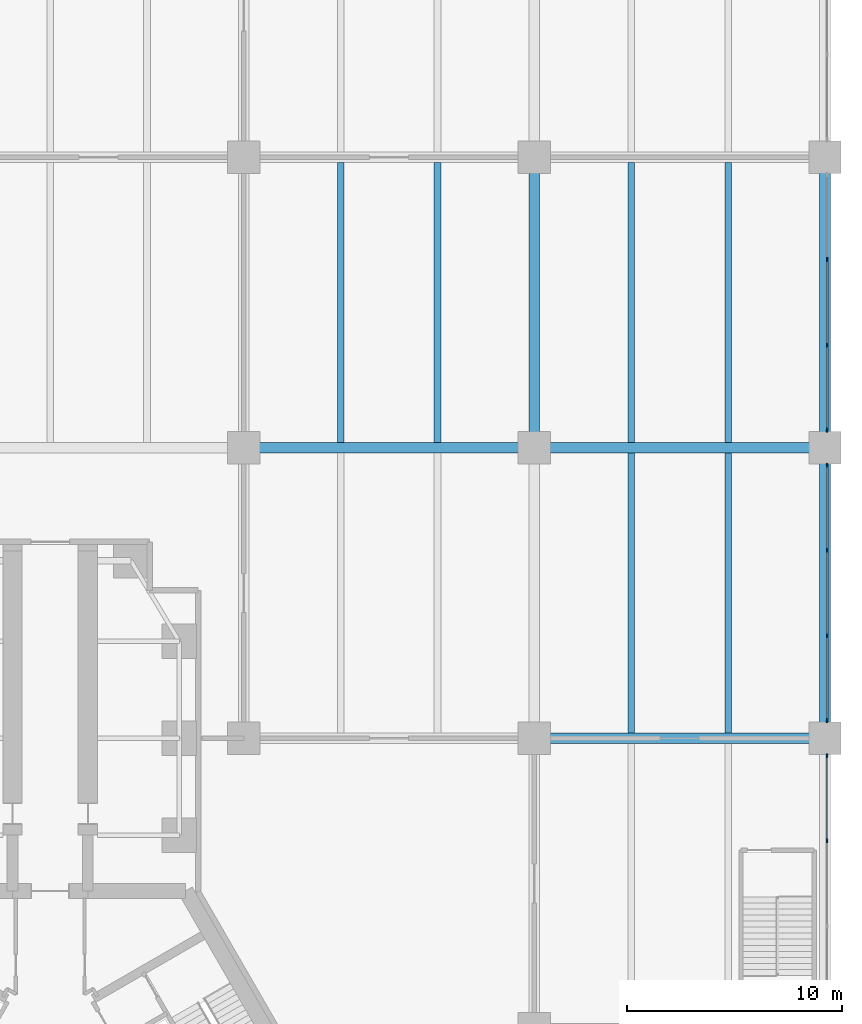
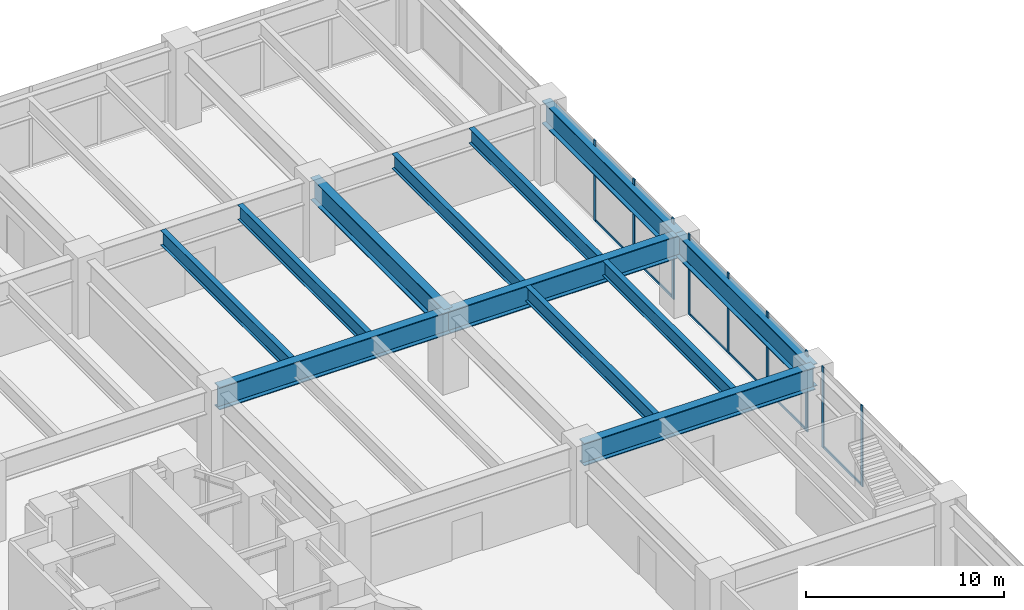
# One storey, part 12 of 31: 15 members, 12 beams, 3 elements without a shape of their own.
"""IFC4 building model written with IfcOpenShell, lengths in metres."""

from ifc_helpers import new_model, si_unit, direction, frame, origin, origin_2d, place, context, subcontext, project, spatial, rectangle, i_section, extrude, material, material_profile, profile_set, type_object, element, aggregate, save


model = new_model("IFC4")

# Units and contexts
model_context = context("Model", 3, precision=1e-05, world=origin(), true_north=direction((0.0, 1.0)))
body_context = subcontext(model_context, "Body", "Model", "MODEL_VIEW")
ifc_project = project(units=[si_unit("LENGTHUNIT", "METRE"), si_unit("AREAUNIT", "SQUARE_METRE"), si_unit("VOLUMEUNIT", "CUBIC_METRE"), si_unit("PLANEANGLEUNIT", "RADIAN"), si_unit("MASSUNIT", "GRAM", prefix="KILO")], contexts=[model_context])

# Site, building, storey
site_placement = place(None, origin())
site = spatial("IfcSite", under=ifc_project, at=site_placement, CompositionType="ELEMENT")
building_placement = place(site_placement, origin())
building = spatial("IfcBuilding", under=site, at=building_placement, Name="Upepo Twin Towers", CompositionType="ELEMENT")
storey_placement = place(building_placement, frame((0.0, 0.0, 15.5)))
storey = spatial("IfcBuildingStorey", under=building, at=storey_placement, Name="L03", CompositionType="ELEMENT", Elevation=15.5)

# Beams
ifc_material_1 = material(Name="Steel S355", Category="steel")
ifc_material_profile_1 = material_profile(ifc_material_1, i_section(OverallWidth=0.5, OverallDepth=1.39990234375, WebThickness=0.02490234375, FlangeThickness=0.050048828125, FilletRadius=0.008056640625, at=origin_2d()), Name="PG 1400x500x25x50")
ifc_profile_set_1 = profile_set([ifc_material_profile_1], Name="Steel S355")
beam_type_1 = type_object("IfcBeamType", Name="Beam PG 1400x500x25x50", PredefinedType="BEAM", material=ifc_profile_set_1)
for number, where, z_axis, x_axis, name in (
    (1, (81.0, 0.0, 3.949951171875), (1.0, 0.0, 0.0), (0.0, 1.0, 0.0), "Podium girder D/9-10"),
    (2, (67.5, 13.5, 3.949951171875), (1.0, 0.0, 0.0), (0.0, 1.0, 0.0), "Podium girder E/8-9"),
    (3, (81.0, 13.5, 3.949951171875), (1.0, 0.0, 0.0), (0.0, 1.0, 0.0), "Podium girder E/9-10"),
    (4, (81.0, 13.5, 3.949951171875), (0.0, 1.0, 0.0), (-1.0, 0.0, 0.0), "Podium girder 9/E-F"),
    (5, (94.5, 0.0, 3.949951171875), (0.0, 1.0, 0.0), (-1.0, 0.0, 0.0), "Podium girder 10/D-E"),
    (6, (94.5, 13.5, 3.949951171875), (0.0, 1.0, 0.0), (-1.0, 0.0, 0.0), "Podium girder 10/E-F"),
):
    element("IfcBeam", number, at=place(storey_placement, frame(where, z_axis=z_axis, x_axis=x_axis)), inside=storey, type_object=beam_type_1, Name=name, PredefinedType="BEAM", context=body_context, shape_type="SweptSolid", body=[
        extrude(i_section(OverallWidth=0.5, OverallDepth=1.39990234375, WebThickness=0.02490234375, FlangeThickness=0.050048828125, FilletRadius=0.008056640625, at=origin_2d()), origin(), (0.0, 0.0, 1.0), 13.5),
    ])

# Curtain wall, members
ifc_material_2 = material(Name="Aluminium and clear glass", Category="aluminium")
curtain_wall_type = type_object("IfcCurtainWallType", Name="Podium curtain wall PW1", PredefinedType="NOTDEFINED", material=ifc_material_2)
curtain_wall_1_placement = place(storey_placement, origin())
curtain_wall_1 = element("IfcCurtainWall", 7, at=curtain_wall_1_placement, inside=storey, type_object=curtain_wall_type, Name="Podium L03 curtain wall E3", PredefinedType="NOTDEFINED")
ifc_material_3 = material(Name="Aluminium mullion", Category="aluminium")
ifc_material_profile_2 = material_profile(ifc_material_3, rectangle(XDim=0.06494140625, YDim=0.199951171875, at=origin_2d()), Name="MULLION 65x200 PODIUM")
ifc_profile_set_2 = profile_set([ifc_material_profile_2], Name="Aluminium mullion")
member_type_1 = type_object("IfcMemberType", Name="Mullion 65x200 PW1", PredefinedType="MULLION", material=ifc_profile_set_2)
member_1_placement = place(storey_placement, frame((94.60009765625, -4.76171875, 0.0), z_axis=(0.0, 0.0, 1.0), x_axis=(-1.0, 0.0, 0.0)))
member_1 = element("IfcMember", 8, at=member_1_placement, type_object=member_type_1, Name="Podium L03 curtain wall E3 mullion 3", PredefinedType="MULLION", context=body_context, shape_type="SweptSolid", body=[
    extrude(rectangle(XDim=0.06494140625, YDim=0.199951171875, at=origin_2d()), origin(), (0.0, 0.0, 1.0), 5.0),
])
member_2_placement = place(storey_placement, frame((94.60009765625, -0.8173828125, 0.0), z_axis=(0.0, 0.0, 1.0), x_axis=(-1.0, 0.0, 0.0)))
member_2 = element("IfcMember", 9, at=member_2_placement, type_object=member_type_1, Name="Podium L03 curtain wall E3 mullion 4", PredefinedType="MULLION", context=body_context, shape_type="SweptSolid", body=[
    extrude(rectangle(XDim=0.06494140625, YDim=0.199951171875, at=origin_2d()), origin(), (0.0, 0.0, 1.0), 5.0),
])

curtain_wall_2_placement = place(storey_placement, origin())
curtain_wall_2 = element("IfcCurtainWall", 10, at=curtain_wall_2_placement, inside=storey, type_object=curtain_wall_type, Name="Podium L03 curtain wall E4", PredefinedType="NOTDEFINED")
member_3_placement = place(storey_placement, frame((94.60009765625, 0.8173828125, 0.0), z_axis=(0.0, 0.0, 1.0), x_axis=(-1.0, 0.0, 0.0)))
member_3 = element("IfcMember", 11, at=member_3_placement, type_object=member_type_1, Name="Podium L03 curtain wall E4 mullion 1", PredefinedType="MULLION", context=body_context, shape_type="SweptSolid", body=[
    extrude(rectangle(XDim=0.06494140625, YDim=0.199951171875, at=origin_2d()), origin(), (0.0, 0.0, 1.0), 5.0),
])
member_4_placement = place(storey_placement, frame((94.60009765625, 4.76171875, 0.0), z_axis=(0.0, 0.0, 1.0), x_axis=(-1.0, 0.0, 0.0)))
member_4 = element("IfcMember", 12, at=member_4_placement, type_object=member_type_1, Name="Podium L03 curtain wall E4 mullion 2", PredefinedType="MULLION", context=body_context, shape_type="SweptSolid", body=[
    extrude(rectangle(XDim=0.06494140625, YDim=0.199951171875, at=origin_2d()), origin(), (0.0, 0.0, 1.0), 5.0),
])
member_5_placement = place(storey_placement, frame((94.60009765625, 8.73828125, 0.0), z_axis=(0.0, 0.0, 1.0), x_axis=(-1.0, 0.0, 0.0)))
member_5 = element("IfcMember", 13, at=member_5_placement, type_object=member_type_1, Name="Podium L03 curtain wall E4 mullion 3", PredefinedType="MULLION", context=body_context, shape_type="SweptSolid", body=[
    extrude(rectangle(XDim=0.06494140625, YDim=0.199951171875, at=origin_2d()), origin(), (0.0, 0.0, 1.0), 5.0),
])
member_6_placement = place(storey_placement, frame((94.60009765625, 12.6826171875, 0.0), z_axis=(0.0, 0.0, 1.0), x_axis=(-1.0, 0.0, 0.0)))
member_6 = element("IfcMember", 14, at=member_6_placement, type_object=member_type_1, Name="Podium L03 curtain wall E4 mullion 4", PredefinedType="MULLION", context=body_context, shape_type="SweptSolid", body=[
    extrude(rectangle(XDim=0.06494140625, YDim=0.199951171875, at=origin_2d()), origin(), (0.0, 0.0, 1.0), 5.0),
])

curtain_wall_3_placement = place(storey_placement, origin())
curtain_wall_3 = element("IfcCurtainWall", 15, at=curtain_wall_3_placement, inside=storey, type_object=curtain_wall_type, Name="Podium L03 curtain wall E5", PredefinedType="NOTDEFINED")
member_7_placement = place(storey_placement, frame((94.60009765625, 14.3173828125, 0.0), z_axis=(0.0, 0.0, 1.0), x_axis=(-1.0, 0.0, 0.0)))
member_7 = element("IfcMember", 16, at=member_7_placement, type_object=member_type_1, Name="Podium L03 curtain wall E5 mullion 1", PredefinedType="MULLION", context=body_context, shape_type="SweptSolid", body=[
    extrude(rectangle(XDim=0.06494140625, YDim=0.199951171875, at=origin_2d()), origin(), (0.0, 0.0, 1.0), 5.0),
])
member_8_placement = place(storey_placement, frame((94.60009765625, 18.26171875, 0.0), z_axis=(0.0, 0.0, 1.0), x_axis=(-1.0, 0.0, 0.0)))
member_8 = element("IfcMember", 17, at=member_8_placement, type_object=member_type_1, Name="Podium L03 curtain wall E5 mullion 2", PredefinedType="MULLION", context=body_context, shape_type="SweptSolid", body=[
    extrude(rectangle(XDim=0.06494140625, YDim=0.199951171875, at=origin_2d()), origin(), (0.0, 0.0, 1.0), 5.0),
])
member_9_placement = place(storey_placement, frame((94.60009765625, 22.23828125, 0.0), z_axis=(0.0, 0.0, 1.0), x_axis=(-1.0, 0.0, 0.0)))
member_9 = element("IfcMember", 18, at=member_9_placement, type_object=member_type_1, Name="Podium L03 curtain wall E5 mullion 3", PredefinedType="MULLION", context=body_context, shape_type="SweptSolid", body=[
    extrude(rectangle(XDim=0.06494140625, YDim=0.199951171875, at=origin_2d()), origin(), (0.0, 0.0, 1.0), 5.0),
])

# Beams
ifc_material_4 = material(Name="Steel S355", Category="steel")
ifc_material_profile_3 = material_profile(ifc_material_4, i_section(OverallWidth=0.305419921875, OverallDepth=0.91845703125, WebThickness=0.017333984375, FlangeThickness=0.02783203125, FilletRadius=0.01904296875, at=origin_2d()), Name="UB 914x305x253")
ifc_profile_set_3 = profile_set([ifc_material_profile_3], Name="Steel S355")
beam_type_2 = type_object("IfcBeamType", Name="Secondary beam UB 914x305x253", PredefinedType="JOIST", material=ifc_profile_set_3)
for number, where, z_axis, x_axis, name in (
    (19, (72.0, 13.75, 4.19091796875), (0.0, 1.0, 0.0), (-1.0, 0.0, 0.0), "Podium secondary beam E8.1"),
    (20, (76.5, 13.75, 4.19091796875), (0.0, 1.0, 0.0), (-1.0, 0.0, 0.0), "Podium secondary beam E8.2"),
    (21, (85.5, 0.25, 4.19091796875), (0.0, 1.0, 0.0), (-1.0, 0.0, 0.0), "Podium secondary beam D9.1"),
    (22, (90.0, 0.25, 4.19091796875), (0.0, 1.0, 0.0), (-1.0, 0.0, 0.0), "Podium secondary beam D9.2"),
    (23, (85.5, 13.75, 4.19091796875), (0.0, 1.0, 0.0), (-1.0, 0.0, 0.0), "Podium secondary beam E9.1"),
    (24, (90.0, 13.75, 4.19091796875), (0.0, 1.0, 0.0), (-1.0, 0.0, 0.0), "Podium secondary beam E9.2"),
):
    element("IfcBeam", number, at=place(storey_placement, frame(where, z_axis=z_axis, x_axis=x_axis)), inside=storey, type_object=beam_type_2, Name=name, PredefinedType="JOIST", context=body_context, shape_type="SweptSolid", body=[
        extrude(i_section(OverallWidth=0.305419921875, OverallDepth=0.91845703125, WebThickness=0.017333984375, FlangeThickness=0.02783203125, FilletRadius=0.01904296875, at=origin_2d()), origin(), (0.0, 0.0, 1.0), 13.0),
    ])

# Member
ifc_material_5 = material(Name="Aluminium transom", Category="aluminium")
ifc_material_profile_4 = material_profile(ifc_material_5, rectangle(XDim=0.06494140625, YDim=0.14990234375, at=origin_2d()), Name="TRANSOM 65x150 PODIUM")
ifc_profile_set_4 = profile_set([ifc_material_profile_4], Name="Aluminium transom")
member_type_2 = type_object("IfcMemberType", Name="Transom 65x150 PW1", PredefinedType="USERDEFINED", material=ifc_profile_set_4)
member_10_placement = place(storey_placement, frame((94.60009765625, -4.729248046875, 0.074951171875), z_axis=(0.0, 1.0, 0.0), x_axis=(-1.0, 0.0, 0.0)))
member_10 = element("IfcMember", 25, at=member_10_placement, type_object=member_type_2, Name="Podium L03 curtain wall E3 transom 3", ObjectType="TRANSOM", PredefinedType="USERDEFINED", context=body_context, shape_type="SweptSolid", body=[
    extrude(rectangle(XDim=0.06494140625, YDim=0.14990234375, at=origin_2d()), origin(), (0.0, 0.0, 1.0), 3.879150390625),
])

aggregate(curtain_wall_1, [member_1, member_2, member_10])

member_11_placement = place(storey_placement, frame((94.60009765625, 0.85009765625, 0.074951171875), z_axis=(0.0, 1.0, 0.0), x_axis=(-1.0, 0.0, 0.0)))
member_11 = element("IfcMember", 26, at=member_11_placement, type_object=member_type_2, Name="Podium L03 curtain wall E4 transom 1", ObjectType="TRANSOM", PredefinedType="USERDEFINED", context=body_context, shape_type="SweptSolid", body=[
    extrude(rectangle(XDim=0.06494140625, YDim=0.14990234375, at=origin_2d()), origin(), (0.0, 0.0, 1.0), 3.879150390625),
])

member_12_placement = place(storey_placement, frame((94.60009765625, 4.794189453125, 0.074951171875), z_axis=(0.0, 1.0, 0.0), x_axis=(-1.0, 0.0, 0.0)))
member_12 = element("IfcMember", 27, at=member_12_placement, type_object=member_type_2, Name="Podium L03 curtain wall E4 transom 2", ObjectType="TRANSOM", PredefinedType="USERDEFINED", context=body_context, shape_type="SweptSolid", body=[
    extrude(rectangle(XDim=0.06494140625, YDim=0.14990234375, at=origin_2d()), origin(), (0.0, 0.0, 1.0), 3.91162109375),
])

member_13_placement = place(storey_placement, frame((94.60009765625, 8.770751953125, 0.074951171875), z_axis=(0.0, 1.0, 0.0), x_axis=(-1.0, 0.0, 0.0)))
member_13 = element("IfcMember", 28, at=member_13_placement, type_object=member_type_2, Name="Podium L03 curtain wall E4 transom 3", ObjectType="TRANSOM", PredefinedType="USERDEFINED", context=body_context, shape_type="SweptSolid", body=[
    extrude(rectangle(XDim=0.06494140625, YDim=0.14990234375, at=origin_2d()), origin(), (0.0, 0.0, 1.0), 3.879150390625),
])

aggregate(curtain_wall_2, [member_3, member_4, member_5, member_6, member_11, member_12, member_13])

member_14_placement = place(storey_placement, frame((94.60009765625, 14.35009765625, 0.074951171875), z_axis=(0.0, 1.0, 0.0), x_axis=(-1.0, 0.0, 0.0)))
member_14 = element("IfcMember", 29, at=member_14_placement, type_object=member_type_2, Name="Podium L03 curtain wall E5 transom 1", ObjectType="TRANSOM", PredefinedType="USERDEFINED", context=body_context, shape_type="SweptSolid", body=[
    extrude(rectangle(XDim=0.06494140625, YDim=0.14990234375, at=origin_2d()), origin(), (0.0, 0.0, 1.0), 3.879150390625),
])

member_15_placement = place(storey_placement, frame((94.60009765625, 18.294189453125, 0.074951171875), z_axis=(0.0, 1.0, 0.0), x_axis=(-1.0, 0.0, 0.0)))
member_15 = element("IfcMember", 30, at=member_15_placement, type_object=member_type_2, Name="Podium L03 curtain wall E5 transom 2", ObjectType="TRANSOM", PredefinedType="USERDEFINED", context=body_context, shape_type="SweptSolid", body=[
    extrude(rectangle(XDim=0.06494140625, YDim=0.14990234375, at=origin_2d()), origin(), (0.0, 0.0, 1.0), 3.91162109375),
])

aggregate(curtain_wall_3, [member_7, member_8, member_9, member_14, member_15])

save(model, "model.ifc")
